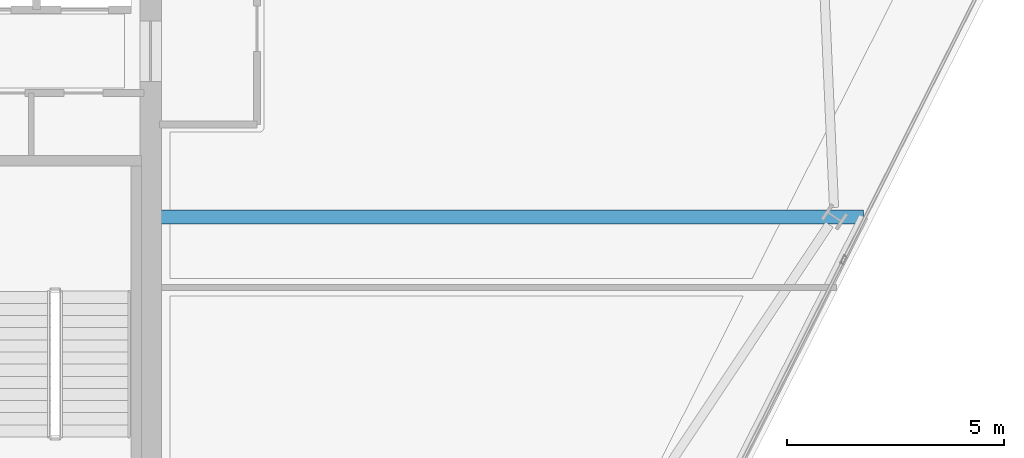
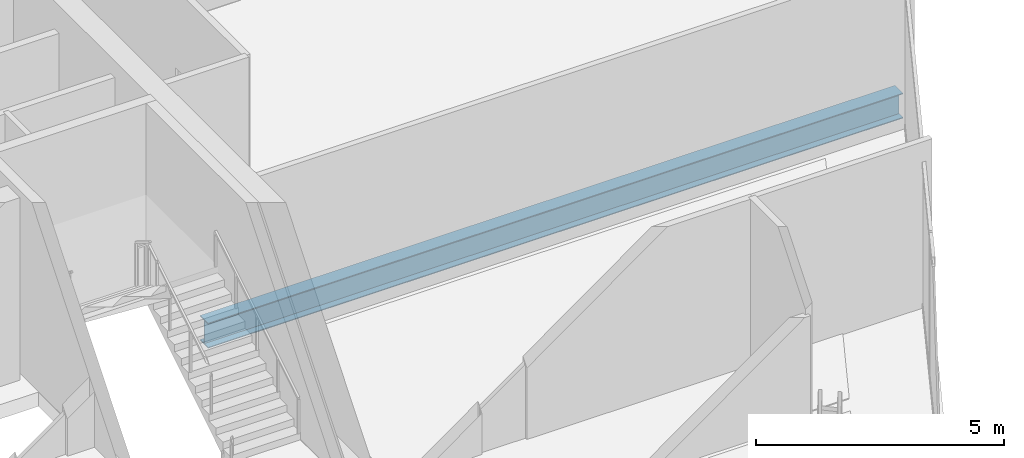
# One storey, part 11 of 27: 1 beam.
"""IFC4 building model written with IfcOpenShell, lengths in metres."""

from ifc_helpers import new_model, si_unit, direction, frame, origin, origin_2d, place, context, subcontext, project, spatial, i_section, extrude, material, material_profile, profile_set, type_object, element, save


model = new_model("IFC4")

# Units and contexts
model_context = context("Model", 3, precision=1e-05, world=origin(), true_north=direction((0.0, 1.0)))
body_context = subcontext(model_context, "Body", "Model", "MODEL_VIEW")
ifc_project = project(units=[si_unit("LENGTHUNIT", "METRE"), si_unit("AREAUNIT", "SQUARE_METRE"), si_unit("VOLUMEUNIT", "CUBIC_METRE"), si_unit("PLANEANGLEUNIT", "RADIAN"), si_unit("MASSUNIT", "GRAM", prefix="KILO")], contexts=[model_context])

# Site, building, storey
site_placement = place(None, origin())
site = spatial("IfcSite", under=ifc_project, at=site_placement, CompositionType="ELEMENT")
building_placement = place(site_placement, origin())
building = spatial("IfcBuilding", under=site, at=building_placement, Name="Haldenkirk Collegiate Tower", CompositionType="ELEMENT")
storey_placement = place(building_placement, frame((0.0, 0.0, 239.699951171875)))
storey = spatial("IfcBuildingStorey", under=building, at=storey_placement, Name="L60", CompositionType="ELEMENT", Elevation=239.699951171875)

# Beam
ifc_material = material(Name="Steel ASTM A992 Grade 50", Category="steel")
ifc_material_profile = material_profile(ifc_material, i_section(OverallWidth=0.324951171875, OverallDepth=0.615966796875, WebThickness=0.013916015625, FlangeThickness=0.021484375, at=origin_2d()), Name="W24X117")
ifc_profile_set = profile_set([ifc_material_profile], Name="Steel ASTM A992 Grade 50")
beam_type = type_object("IfcBeamType", Name="BM-GIRDER-W24X117", PredefinedType="BEAM", material=ifc_profile_set)
beam_placement = place(storey_placement, frame((61.433837890625, 25.12646484375, -0.657958984375), z_axis=(-1.0, 0.0, 0.0), x_axis=(0.0, -1.0, 0.0)))
element("IfcBeam", 1, at=beam_placement, inside=storey, type_object=beam_type, Name="L60 primary floor girder 07", PredefinedType="BEAM", context=body_context, shape_type="SweptSolid", body=[
    extrude(i_section(OverallWidth=0.324951171875, OverallDepth=0.615966796875, WebThickness=0.013916015625, FlangeThickness=0.021484375, at=origin_2d()), origin(), (0.0, 0.0, 1.0), 16.203857421875),
])

save(model, "model.ifc")
